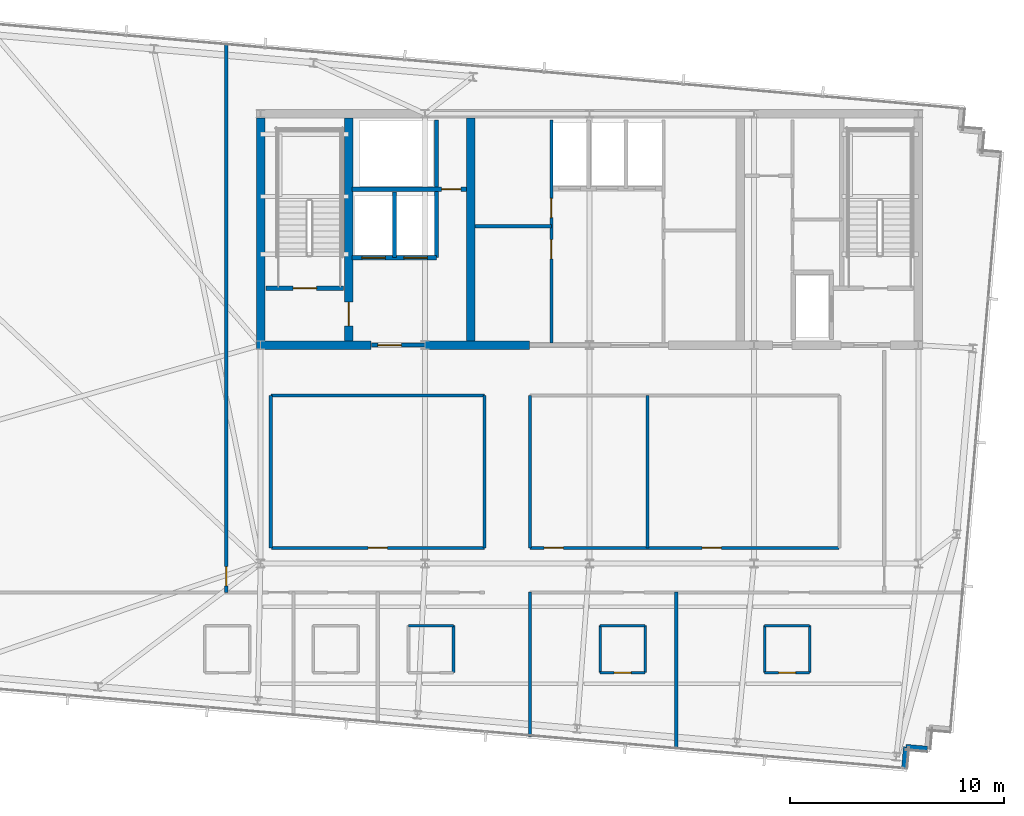
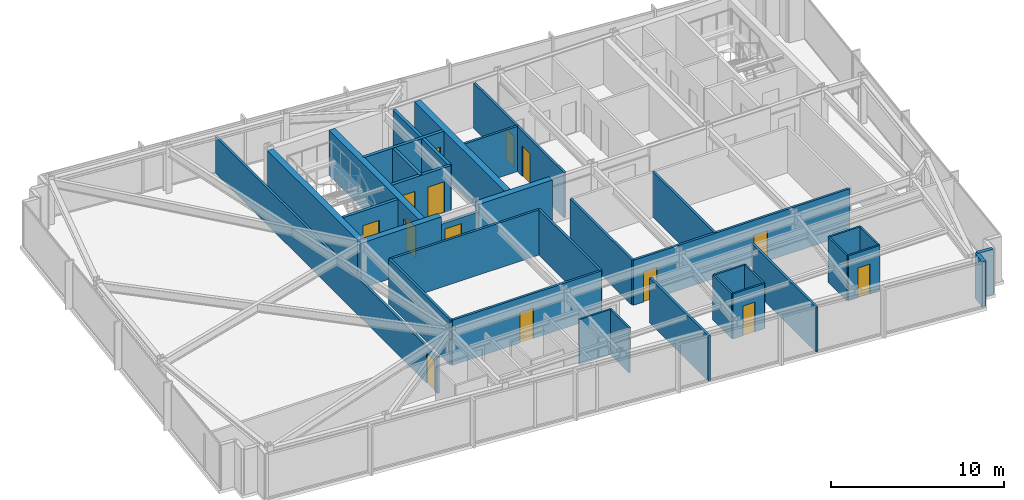
# One storey, part 27 of 33: 35 walls, 14 doors, 14 openings.
"""IFC4 building model written with IfcOpenShell, lengths in metres."""

from ifc_helpers import new_model, si_unit, direction, frame, frame_2d, origin, place, context, subcontext, project, spatial, rectangle, extrude, material, layer, layer_set, type_object, element, fill, save


model = new_model("IFC4")

# Units and contexts
model_context = context("Model", 3, precision=1e-05, world=origin(), true_north=direction((0.0, 1.0)))
body_context = subcontext(model_context, "Body", "Model", "MODEL_VIEW")
ifc_project = project(units=[si_unit("LENGTHUNIT", "METRE"), si_unit("AREAUNIT", "SQUARE_METRE"), si_unit("VOLUMEUNIT", "CUBIC_METRE"), si_unit("PLANEANGLEUNIT", "RADIAN"), si_unit("MASSUNIT", "GRAM", prefix="KILO")], contexts=[model_context])

# Site, building, storey
site_placement = place(None, origin())
site = spatial("IfcSite", under=ifc_project, at=site_placement, CompositionType="ELEMENT")
building_placement = place(site_placement, origin())
building = spatial("IfcBuilding", under=site, at=building_placement, Name="Yelkora Congress Tower", CompositionType="ELEMENT")
storey_placement = place(building_placement, frame((0.0, 0.0, 289.699951171875)))
storey = spatial("IfcBuildingStorey", under=building, at=storey_placement, Name="L81", CompositionType="ELEMENT", Elevation=289.699951171875)

# Walls
ifc_material_1 = material(Name="Concrete C50/60", Category="concrete")
ifc_layer_1 = layer(ifc_material_1, 0.39990234375)
ifc_layer_set_1 = layer_set([ifc_layer_1], Name="Concrete C50/60")
wall_type_1 = type_object("IfcWallType", Name="WALL-CORE-INT-400", PredefinedType="SHEAR", material=ifc_layer_set_1)
wall_1_placement = place(storey_placement, frame((22.840087890625, 35.39990234375, 0.0), z_axis=(0.0, 0.0, 1.0), x_axis=(1.0, 0.0, 0.0)))
element("IfcWall", 1, at=wall_1_placement, inside=storey, type_object=wall_type_1, Name="L81 Rear Core South-West Shear Wall", PredefinedType="SHEAR", context=body_context, shape_type="SweptSolid", body=[
    extrude(rectangle(XDim=5.35986328125, YDim=0.39990234375, at=frame_2d((2.679931640625, 0.0))), origin(), (0.0, 0.0, 1.0), 3.179931640625),
])
wall_2_placement = place(storey_placement, frame((30.719970703125, 35.39990234375, 0.0), z_axis=(0.0, 0.0, 1.0), x_axis=(1.0, 0.0, 0.0)))
element("IfcWall", 2, at=wall_2_placement, inside=storey, type_object=wall_type_1, Name="L81 Rear Core South-Center Shear Pier", PredefinedType="SHEAR", context=body_context, shape_type="SweptSolid", body=[
    extrude(rectangle(XDim=4.880126953125, YDim=0.39990234375, at=frame_2d((2.43994140625, 0.0))), origin(), (0.0, 0.0, 1.0), 3.179931640625),
])
wall_3_placement = place(storey_placement, frame((23.0400390625, 35.60009765625, 0.0), z_axis=(0.0, 0.0, 1.0), x_axis=(0.0, 1.0, 0.0)))
element("IfcWall", 3, at=wall_3_placement, inside=storey, type_object=wall_type_1, Name="L81 Rear Core Cross Shear Wall W", PredefinedType="SHEAR", context=body_context, shape_type="SweptSolid", body=[
    extrude(rectangle(XDim=10.39990234375, YDim=0.39990234375, at=frame_2d((5.199951171875, 0.0))), origin(), (0.0, 0.0, 1.0), 3.179931640625),
])

# Wall, opening, door
wall_4_placement = place(storey_placement, frame((27.14990234375, 35.60009765625, 0.0), z_axis=(0.0, 0.0, 1.0), x_axis=(0.0, 1.0, 0.0)))
wall_4 = element("IfcWall", 4, at=wall_4_placement, inside=storey, type_object=wall_type_1, Name="L81 Rear Core Cross Shear Wall C1", PredefinedType="SHEAR", context=body_context, shape_type="SweptSolid", body=[
    extrude(rectangle(XDim=10.39990234375, YDim=0.39990234375, at=frame_2d((5.199951171875, 0.0))), origin(), (0.0, 0.0, 1.0), 3.179931640625),
])
opening_1_placement = place(wall_4_placement, frame((0.699951171875, 0.0, 0.0)))
opening_1 = element("IfcOpeningElement", 5, at=opening_1_placement, cuts=wall_4, Name="Opening DR-110F9", PredefinedType="OPENING", context=body_context, shape_type="SweptSolid", body=[
    extrude(rectangle(XDim=1.10009765625, YDim=2.14990234375, at=frame_2d((0.550048828125, 1.074951171875))), frame((0.0, 0.2099609375, 0.0), z_axis=(0.0, -1.0, 0.0), x_axis=(1.0, 0.0, 0.0)), (0.0, 0.0, 1.0), 0.419921875),
])
ifc_material_2 = material(Name="Galvanised steel fire door leaf", Category="steel")
door_type_1 = type_object("IfcDoorType", Name="DOOR-FD90-1100", OperationType="NOTDEFINED", PredefinedType="DOOR", material=ifc_material_2)
door_1_placement = place(opening_1_placement, origin())
door_1 = element("IfcDoor", 6, at=door_1_placement, inside=storey, type_object=door_type_1, Name="L81 Firefighting Stair Transfer Door", OperationType="SINGLE_SWING_LEFT", OverallHeight=2.14990234375, OverallWidth=1.10009765625, PredefinedType="DOOR", context=body_context, shape_type="SweptSolid", body=[
    extrude(rectangle(XDim=1.10009765625, YDim=2.14990234375, at=frame_2d((0.550048828125, 1.074951171875))), frame((0.0, 0.02490234375, 0.0), z_axis=(0.0, -1.0, 0.0), x_axis=(1.0, 0.0, 0.0)), (0.0, 0.0, 1.0), 0.050048828125),
])
fill(opening_1, door_1)

# Walls
wall_5_placement = place(storey_placement, frame((32.85009765625, 35.60009765625, 0.0), z_axis=(0.0, 0.0, 1.0), x_axis=(0.0, 1.0, 0.0)))
element("IfcWall", 7, at=wall_5_placement, inside=storey, type_object=wall_type_1, Name="L81 Rear Core Cross Shear Wall C2", PredefinedType="SHEAR", context=body_context, shape_type="SweptSolid", body=[
    extrude(rectangle(XDim=10.39990234375, YDim=0.39990234375, at=frame_2d((5.199951171875, 0.0))), origin(), (0.0, 0.0, 1.0), 3.179931640625),
])
ifc_material_3 = material(Name="Concrete C40/50", Category="concrete")
ifc_layer_2 = layer(ifc_material_3, 0.239990234375)
ifc_layer_set_2 = layer_set([ifc_layer_2], Name="Concrete C40/50")
wall_type_2 = type_object("IfcWallType", Name="WALL-EXT-LIMESTONE-240", PredefinedType="SOLIDWALL", material=ifc_layer_set_2)
for number, where, z_axis, x_axis, name in (
    (8, (54.174560546875, 16.5498046875, 0.0), (0.0, 0.0, 1.0), (-0.996195572005, 0.087145753297, 0.0), "L81 Serrated Corner Limestone Pier 18"),
    (9, (53.17822265625, 16.636962890625, 0.0), (0.0, 0.0, 1.0), (-0.087145753297, -0.996195572005, 0.0), "L81 Serrated Corner Limestone Pier 19"),
):
    element("IfcWall", number, at=place(storey_placement, frame(where, z_axis=z_axis, x_axis=x_axis)), inside=storey, type_object=wall_type_2, Name=name, PredefinedType="SOLIDWALL", context=body_context, shape_type="SweptSolid", body=[
        extrude(rectangle(XDim=1.000244140625, YDim=0.239990234375, at=frame_2d((0.5, 0.0))), origin(), (0.0, 0.0, 1.0), 3.179931640625),
    ])
ifc_material_4 = material(Name="Moisture-resistant gypsum partition", Category="gypsum")
ifc_layer_3 = layer(ifc_material_4, 0.1201171875)
ifc_layer_set_3 = layer_set([ifc_layer_3], Name="Moisture-resistant gypsum partition")
wall_type_3 = type_object("IfcWallType", Name="WALL-INT-120-NR", PredefinedType="PARTITIONING", material=ifc_layer_set_3)
wall_6_placement = place(storey_placement, frame((29.949951171875, 22.300048828125, 0.0), z_axis=(0.0, 0.0, 1.0), x_axis=(1.0, 0.0, 0.0)))
element("IfcWall", 10, at=wall_6_placement, inside=storey, type_object=wall_type_3, Name="L81 Partition Wall 32", PredefinedType="PARTITIONING", context=body_context, shape_type="SweptSolid", body=[
    extrude(rectangle(XDim=2.10009765625, YDim=0.1201171875, at=frame_2d((1.050048828125, 0.0))), origin(), (0.0, 0.0, 1.0), 3.179931640625),
])
wall_7_placement = place(storey_placement, frame((32.050048828125, 20.10009765625, 0.0), z_axis=(0.0, 0.0, 1.0), x_axis=(0.0, 1.0, 0.0)))
element("IfcWall", 11, at=wall_7_placement, inside=storey, type_object=wall_type_3, Name="L81 Partition Wall 34", PredefinedType="PARTITIONING", context=body_context, shape_type="SweptSolid", body=[
    extrude(rectangle(XDim=2.199951171875, YDim=0.1201171875, at=frame_2d((1.10009765625, 0.0))), origin(), (0.0, 0.0, 1.0), 3.179931640625),
])
wall_8_placement = place(storey_placement, frame((38.89990234375, 22.300048828125, 0.0), z_axis=(0.0, 0.0, 1.0), x_axis=(1.0, 0.0, 0.0)))
element("IfcWall", 12, at=wall_8_placement, inside=storey, type_object=wall_type_3, Name="L81 Partition Wall 37", PredefinedType="PARTITIONING", context=body_context, shape_type="SweptSolid", body=[
    extrude(rectangle(XDim=2.10009765625, YDim=0.1201171875, at=frame_2d((1.050048828125, 0.0))), origin(), (0.0, 0.0, 1.0), 3.179931640625),
])
for number, where, z_axis, x_axis, name in (
    (13, (38.89990234375, 20.10009765625, 0.0), (0.0, 0.0, 1.0), (0.0, 1.0, 0.0), "L81 Partition Wall 38"),
    (14, (41.0, 20.10009765625, 0.0), (0.0, 0.0, 1.0), (0.0, 1.0, 0.0), "L81 Partition Wall 39"),
):
    element("IfcWall", number, at=place(storey_placement, frame(where, z_axis=z_axis, x_axis=x_axis)), inside=storey, type_object=wall_type_3, Name=name, PredefinedType="PARTITIONING", context=body_context, shape_type="SweptSolid", body=[
        extrude(rectangle(XDim=2.199951171875, YDim=0.1201171875, at=frame_2d((1.10009765625, 0.0))), origin(), (0.0, 0.0, 1.0), 3.179931640625),
    ])

# Wall, opening, door
wall_9_placement = place(storey_placement, frame((38.89990234375, 20.10009765625, 0.0), z_axis=(0.0, 0.0, 1.0), x_axis=(1.0, 0.0, 0.0)))
wall_9 = element("IfcWall", 15, at=wall_9_placement, inside=storey, type_object=wall_type_3, Name="L81 Partition Wall 40", PredefinedType="PARTITIONING", context=body_context, shape_type="SweptSolid", body=[
    extrude(rectangle(XDim=2.10009765625, YDim=0.1201171875, at=frame_2d((1.050048828125, 0.0))), origin(), (0.0, 0.0, 1.0), 3.179931640625),
])
opening_2_placement = place(wall_9_placement, frame((0.64990234375, 0.0, 0.0)))
opening_2 = element("IfcOpeningElement", 16, at=opening_2_placement, cuts=wall_9, Name="Opening DR-080B", PredefinedType="OPENING", context=body_context, shape_type="SweptSolid", body=[
    extrude(rectangle(XDim=0.800048828125, YDim=2.10009765625, at=frame_2d((0.39990234375, 1.050048828125))), frame((0.0, 0.070068359375, 0.0), z_axis=(0.0, -1.0, 0.0), x_axis=(1.0, 0.0, 0.0)), (0.0, 0.0, 1.0), 0.14013671875),
])
ifc_material_5 = material(Name="Moisture-sealed en-suite timber door", Category="wood")
door_type_2 = type_object("IfcDoorType", Name="DOOR-BATH-800", OperationType="NOTDEFINED", PredefinedType="DOOR", material=ifc_material_5)
door_2_placement = place(opening_2_placement, origin())
door_2 = element("IfcDoor", 17, at=door_2_placement, inside=storey, type_object=door_type_2, Name="L81 En-suite Door 5", OperationType="SINGLE_SWING_LEFT", OverallHeight=2.10009765625, OverallWidth=0.800048828125, PredefinedType="DOOR", context=body_context, shape_type="SweptSolid", body=[
    extrude(rectangle(XDim=0.800048828125, YDim=2.10009765625, at=frame_2d((0.39990234375, 1.050048828125))), frame((0.0, 0.02490234375, 0.0), z_axis=(0.0, -1.0, 0.0), x_axis=(1.0, 0.0, 0.0)), (0.0, 0.0, 1.0), 0.050048828125),
])
fill(opening_2, door_2)

# Walls
wall_10_placement = place(storey_placement, frame((46.580078125, 22.300048828125, 0.0), z_axis=(0.0, 0.0, 1.0), x_axis=(1.0, 0.0, 0.0)))
element("IfcWall", 18, at=wall_10_placement, inside=storey, type_object=wall_type_3, Name="L81 Partition Wall 42", PredefinedType="PARTITIONING", context=body_context, shape_type="SweptSolid", body=[
    extrude(rectangle(XDim=2.099853515625, YDim=0.1201171875, at=frame_2d((1.0498046875, 0.0))), origin(), (0.0, 0.0, 1.0), 3.179931640625),
])
for number, where, z_axis, x_axis, name in (
    (19, (46.580078125, 20.10009765625, 0.0), (0.0, 0.0, 1.0), (0.0, 1.0, 0.0), "L81 Partition Wall 43"),
    (20, (48.679931640625, 20.10009765625, 0.0), (0.0, 0.0, 1.0), (0.0, 1.0, 0.0), "L81 Partition Wall 44"),
):
    element("IfcWall", number, at=place(storey_placement, frame(where, z_axis=z_axis, x_axis=x_axis)), inside=storey, type_object=wall_type_3, Name=name, PredefinedType="PARTITIONING", context=body_context, shape_type="SweptSolid", body=[
        extrude(rectangle(XDim=2.199951171875, YDim=0.1201171875, at=frame_2d((1.10009765625, 0.0))), origin(), (0.0, 0.0, 1.0), 3.179931640625),
    ])

# Wall, opening, door
wall_11_placement = place(storey_placement, frame((46.580078125, 20.10009765625, 0.0), z_axis=(0.0, 0.0, 1.0), x_axis=(1.0, 0.0, 0.0)))
wall_11 = element("IfcWall", 21, at=wall_11_placement, inside=storey, type_object=wall_type_3, Name="L81 Partition Wall 45", PredefinedType="PARTITIONING", context=body_context, shape_type="SweptSolid", body=[
    extrude(rectangle(XDim=2.099853515625, YDim=0.1201171875, at=frame_2d((1.0498046875, 0.0))), origin(), (0.0, 0.0, 1.0), 3.179931640625),
])
opening_3_placement = place(wall_11_placement, frame((0.64990234375, 0.0, 0.0)))
opening_3 = element("IfcOpeningElement", 22, at=opening_3_placement, cuts=wall_11, Name="Opening DR-080B", PredefinedType="OPENING", context=body_context, shape_type="SweptSolid", body=[
    extrude(rectangle(XDim=0.800048828125, YDim=2.10009765625, at=frame_2d((0.39990234375, 1.050048828125))), frame((0.0, 0.070068359375, 0.0), z_axis=(0.0, -1.0, 0.0), x_axis=(1.0, 0.0, 0.0)), (0.0, 0.0, 1.0), 0.14013671875),
])
door_3_placement = place(opening_3_placement, origin())
door_3 = element("IfcDoor", 23, at=door_3_placement, inside=storey, type_object=door_type_2, Name="L81 En-suite Door 6", OperationType="SINGLE_SWING_RIGHT", OverallHeight=2.10009765625, OverallWidth=0.800048828125, PredefinedType="DOOR", context=body_context, shape_type="SweptSolid", body=[
    extrude(rectangle(XDim=0.800048828125, YDim=2.10009765625, at=frame_2d((0.39990234375, 1.050048828125))), frame((0.0, 0.02490234375, 0.0), z_axis=(0.0, -1.0, 0.0), x_axis=(1.0, 0.0, 0.0)), (0.0, 0.0, 1.0), 0.050048828125),
])
fill(opening_3, door_3)

ifc_material_6 = material(Name="Acoustic metal-stud gypsum partition", Category="gypsum")
ifc_layer_4 = layer(ifc_material_6, 0.14990234375)
ifc_layer_set_4 = layer_set([ifc_layer_4], Name="Acoustic metal-stud gypsum partition")
wall_type_4 = type_object("IfcWallType", Name="WALL-INT-150-NR", PredefinedType="PARTITIONING", material=ifc_layer_set_4)
wall_12_placement = place(storey_placement, frame((21.43994140625, 23.85009765625, 0.0), z_axis=(0.0, 0.0, 1.0), x_axis=(0.0, 1.0, 0.0)))
wall_12 = element("IfcWall", 24, at=wall_12_placement, inside=storey, type_object=wall_type_4, Name="L81 Partition Wall 49", PredefinedType="PARTITIONING", context=body_context, shape_type="SweptSolid", body=[
    extrude(rectangle(XDim=25.658203125, YDim=0.14990234375, at=frame_2d((12.8291015625, 0.0))), origin(), (0.0, 0.0, 1.0), 2.574951171875),
])
opening_4_placement = place(wall_12_placement, frame((0.300048828125, 0.0, 0.0)))
opening_4 = element("IfcOpeningElement", 25, at=opening_4_placement, cuts=wall_12, Name="Opening DR-090N", PredefinedType="OPENING", context=body_context, shape_type="SweptSolid", body=[
    extrude(rectangle(XDim=0.89990234375, YDim=2.14990234375, at=frame_2d((0.449951171875, 1.074951171875))), frame((0.0, 0.0849609375, 0.0), z_axis=(0.0, -1.0, 0.0), x_axis=(1.0, 0.0, 0.0)), (0.0, 0.0, 1.0), 0.169921875),
])
ifc_material_7 = material(Name="Moisture-resistant laminate door leaf", Category="wood")
door_type_3 = type_object("IfcDoorType", Name="DOOR-INT-900", OperationType="NOTDEFINED", PredefinedType="DOOR", material=ifc_material_7)
door_4_placement = place(opening_4_placement, origin())
door_4 = element("IfcDoor", 26, at=door_4_placement, inside=storey, type_object=door_type_3, Name="L81 W Wing Door", OperationType="SINGLE_SWING_RIGHT", OverallHeight=2.14990234375, OverallWidth=0.89990234375, PredefinedType="DOOR", context=body_context, shape_type="SweptSolid", body=[
    extrude(rectangle(XDim=0.89990234375, YDim=2.14990234375, at=frame_2d((0.449951171875, 1.074951171875))), frame((0.0, 0.02490234375, 0.0), z_axis=(0.0, -1.0, 0.0), x_axis=(1.0, 0.0, 0.0)), (0.0, 0.0, 1.0), 0.050048828125),
])
fill(opening_4, door_4)

# Walls
for number, where, z_axis, x_axis, name in (
    (27, (23.52001953125, 25.929931640625, 0.0), (0.0, 0.0, 1.0), (0.0, 1.0, 0.0), "L81 Partition Wall 51"),
    (28, (33.5, 25.929931640625, 0.0), (0.0, 0.0, 1.0), (0.0, 1.0, 0.0), "L81 Partition Wall 53"),
    (29, (35.6201171875, 25.929931640625, 0.0), (0.0, 0.0, 1.0), (0.0, 1.0, 0.0), "L81 Partition Wall 54"),
):
    element("IfcWall", number, at=place(storey_placement, frame(where, z_axis=z_axis, x_axis=x_axis)), inside=storey, type_object=wall_type_4, Name=name, PredefinedType="PARTITIONING", context=body_context, shape_type="SweptSolid", body=[
        extrude(rectangle(XDim=7.1201171875, YDim=0.14990234375, at=frame_2d((3.56005859375, 0.0))), origin(), (0.0, 0.0, 1.0), 3.179931640625),
    ])
wall_13_placement = place(storey_placement, frame((23.52001953125, 33.050048828125, 0.0), z_axis=(0.0, 0.0, 1.0), x_axis=(1.0, 0.0, 0.0)))
element("IfcWall", 30, at=wall_13_placement, inside=storey, type_object=wall_type_4, Name="L81 Partition Wall 55", PredefinedType="PARTITIONING", context=body_context, shape_type="SweptSolid", body=[
    extrude(rectangle(XDim=9.97998046875, YDim=0.14990234375, at=frame_2d((4.989990234375, 0.0))), origin(), (0.0, 0.0, 1.0), 3.179931640625),
])

# Wall, opening, door
wall_14_placement = place(storey_placement, frame((23.5400390625, 25.929931640625, 0.0), z_axis=(0.0, 0.0, 1.0), x_axis=(1.0, 0.0, 0.0)))
wall_14 = element("IfcWall", 31, at=wall_14_placement, inside=storey, type_object=wall_type_4, Name="L81 Partition Wall 57", PredefinedType="PARTITIONING", context=body_context, shape_type="SweptSolid", body=[
    extrude(rectangle(XDim=9.949951171875, YDim=0.14990234375, at=frame_2d((4.97509765625, 0.0))), origin(), (0.0, 0.0, 1.0), 3.179931640625),
])
opening_5_placement = place(wall_14_placement, frame((4.52490234375, 0.0, 0.0)))
opening_5 = element("IfcOpeningElement", 32, at=opening_5_placement, cuts=wall_14, Name="Opening DR-090N", PredefinedType="OPENING", context=body_context, shape_type="SweptSolid", body=[
    extrude(rectangle(XDim=0.89990234375, YDim=2.14990234375, at=frame_2d((0.449951171875, 1.074951171875))), frame((0.0, 0.0849609375, 0.0), z_axis=(0.0, -1.0, 0.0), x_axis=(1.0, 0.0, 0.0)), (0.0, 0.0, 1.0), 0.169921875),
])
door_5_placement = place(opening_5_placement, origin())
door_5 = element("IfcDoor", 33, at=door_5_placement, inside=storey, type_object=door_type_3, Name="L81 Housekeeping & Linen Room Door", OperationType="SINGLE_SWING_RIGHT", OverallHeight=2.14990234375, OverallWidth=0.89990234375, PredefinedType="DOOR", context=body_context, shape_type="SweptSolid", body=[
    extrude(rectangle(XDim=0.89990234375, YDim=2.14990234375, at=frame_2d((0.449951171875, 1.074951171875))), frame((0.0, 0.02490234375, 0.0), z_axis=(0.0, -1.0, 0.0), x_axis=(1.0, 0.0, 0.0)), (0.0, 0.0, 1.0), 0.050048828125),
])
fill(opening_5, door_5)

# Wall
wall_15_placement = place(storey_placement, frame((41.113037109375, 25.929931640625, 0.0), z_axis=(0.0, 0.0, 1.0), x_axis=(0.0, 1.0, 0.0)))
element("IfcWall", 34, at=wall_15_placement, inside=storey, type_object=wall_type_4, Name="L81 Partition Wall 58", PredefinedType="PARTITIONING", context=body_context, shape_type="SweptSolid", body=[
    extrude(rectangle(XDim=7.1201171875, YDim=0.14990234375, at=frame_2d((3.56005859375, 0.0))), origin(), (0.0, 0.0, 1.0), 3.179931640625),
])

# Wall, openings, doors
wall_16_placement = place(storey_placement, frame((35.6298828125, 25.929931640625, 0.0), z_axis=(0.0, 0.0, 1.0), x_axis=(1.0, 0.0, 0.0)))
wall_16 = element("IfcWall", 35, at=wall_16_placement, inside=storey, type_object=wall_type_4, Name="L81 Partition Wall 59", PredefinedType="PARTITIONING", context=body_context, shape_type="SweptSolid", body=[
    extrude(rectangle(XDim=14.43017578125, YDim=0.14990234375, at=frame_2d((7.215087890625, 0.0))), origin(), (0.0, 0.0, 1.0), 3.179931640625),
])
opening_6_placement = place(wall_16_placement, frame((0.64990234375, 0.0, 0.0)))
opening_6 = element("IfcOpeningElement", 36, at=opening_6_placement, cuts=wall_16, Name="Opening DR-090N", PredefinedType="OPENING", context=body_context, shape_type="SweptSolid", body=[
    extrude(rectangle(XDim=0.89990234375, YDim=2.14990234375, at=frame_2d((0.449951171875, 1.074951171875))), frame((0.0, 0.0849609375, 0.0), z_axis=(0.0, -1.0, 0.0), x_axis=(1.0, 0.0, 0.0)), (0.0, 0.0, 1.0), 0.169921875),
])
opening_7_placement = place(wall_16_placement, frame((8.030517578125, 0.0, 0.0)))
opening_7 = element("IfcOpeningElement", 37, at=opening_7_placement, cuts=wall_16, Name="Opening DR-090N", PredefinedType="OPENING", context=body_context, shape_type="SweptSolid", body=[
    extrude(rectangle(XDim=0.89990234375, YDim=2.14990234375, at=frame_2d((0.449951171875, 1.074951171875))), frame((0.0, 0.0849609375, 0.0), z_axis=(0.0, -1.0, 0.0), x_axis=(1.0, 0.0, 0.0)), (0.0, 0.0, 1.0), 0.169921875),
])
door_6_placement = place(opening_6_placement, origin())
door_6 = element("IfcDoor", 38, at=door_6_placement, inside=storey, type_object=door_type_3, Name="L81 Executive Library Door", OperationType="SINGLE_SWING_LEFT", OverallHeight=2.14990234375, OverallWidth=0.89990234375, PredefinedType="DOOR", context=body_context, shape_type="SweptSolid", body=[
    extrude(rectangle(XDim=0.89990234375, YDim=2.14990234375, at=frame_2d((0.449951171875, 1.074951171875))), frame((0.0, 0.02490234375, 0.0), z_axis=(0.0, -1.0, 0.0), x_axis=(1.0, 0.0, 0.0)), (0.0, 0.0, 1.0), 0.050048828125),
])
fill(opening_6, door_6)
door_7_placement = place(opening_7_placement, origin())
door_7 = element("IfcDoor", 39, at=door_7_placement, inside=storey, type_object=door_type_3, Name="L81 Delegate Kiosk Door", OperationType="SINGLE_SWING_RIGHT", OverallHeight=2.14990234375, OverallWidth=0.89990234375, PredefinedType="DOOR", context=body_context, shape_type="SweptSolid", body=[
    extrude(rectangle(XDim=0.89990234375, YDim=2.14990234375, at=frame_2d((0.449951171875, 1.074951171875))), frame((0.0, 0.02490234375, 0.0), z_axis=(0.0, -1.0, 0.0), x_axis=(1.0, 0.0, 0.0)), (0.0, 0.0, 1.0), 0.050048828125),
])
fill(opening_7, door_7)

# Wall
ifc_material_8 = material(Name="Twin-stud fire-rated gypsum partition", Category="gypsum")
ifc_layer_5 = layer(ifc_material_8, 0.14990234375)
ifc_layer_set_5 = layer_set([ifc_layer_5], Name="Twin-stud fire-rated gypsum partition")
wall_type_5 = type_object("IfcWallType", Name="WALL-INT-150-R60", PredefinedType="PARTITIONING", material=ifc_layer_set_5)
wall_17_placement = place(storey_placement, frame((33.050048828125, 40.949951171875, 0.0), z_axis=(0.0, 0.0, 1.0), x_axis=(1.0, 0.0, 0.0)))
element("IfcWall", 40, at=wall_17_placement, inside=storey, type_object=wall_type_5, Name="L81 Partition Wall 11", PredefinedType="PARTITIONING", context=body_context, shape_type="SweptSolid", body=[
    extrude(rectangle(XDim=3.570068359375, YDim=0.14990234375, at=frame_2d((1.78515625, 0.0))), origin(), (0.0, 0.0, 1.0), 3.179931640625),
])

# Wall, openings, doors
wall_18_placement = place(storey_placement, frame((36.6201171875, 35.5, 0.0), z_axis=(0.0, 0.0, 1.0), x_axis=(0.0, 1.0, 0.0)))
wall_18 = element("IfcWall", 41, at=wall_18_placement, inside=storey, type_object=wall_type_5, Name="L81 Partition Wall 12", PredefinedType="PARTITIONING", context=body_context, shape_type="SweptSolid", body=[
    extrude(rectangle(XDim=10.419921875, YDim=0.14990234375, at=frame_2d((5.2099609375, 0.0))), origin(), (0.0, 0.0, 1.0), 3.179931640625),
])
opening_8_placement = place(wall_18_placement, frame((3.919921875, 0.0, 0.0)))
opening_8 = element("IfcOpeningElement", 42, at=opening_8_placement, cuts=wall_18, Name="Opening DR-090F6", PredefinedType="OPENING", context=body_context, shape_type="SweptSolid", body=[
    extrude(rectangle(XDim=0.89990234375, YDim=2.14990234375, at=frame_2d((0.449951171875, 1.074951171875))), frame((0.0, 0.0849609375, 0.0), z_axis=(0.0, -1.0, 0.0), x_axis=(1.0, 0.0, 0.0)), (0.0, 0.0, 1.0), 0.169921875),
])
opening_9_placement = place(wall_18_placement, frame((5.85009765625, 0.0, 0.0)))
opening_9 = element("IfcOpeningElement", 43, at=opening_9_placement, cuts=wall_18, Name="Opening DR-090F6", PredefinedType="OPENING", context=body_context, shape_type="SweptSolid", body=[
    extrude(rectangle(XDim=0.89990234375, YDim=2.14990234375, at=frame_2d((0.449951171875, 1.074951171875))), frame((0.0, 0.0849609375, 0.0), z_axis=(0.0, -1.0, 0.0), x_axis=(1.0, 0.0, 0.0)), (0.0, 0.0, 1.0), 0.169921875),
])
ifc_material_9 = material(Name="Painted steel riser fire door leaf", Category="steel")
door_type_4 = type_object("IfcDoorType", Name="DOOR-FD60-900", OperationType="NOTDEFINED", PredefinedType="DOOR", material=ifc_material_9)
door_8_placement = place(opening_8_placement, origin())
door_8 = element("IfcDoor", 44, at=door_8_placement, inside=storey, type_object=door_type_4, Name="L81 Telecom Store Door", OperationType="SINGLE_SWING_RIGHT", OverallHeight=2.14990234375, OverallWidth=0.89990234375, PredefinedType="DOOR", context=body_context, shape_type="SweptSolid", body=[
    extrude(rectangle(XDim=0.89990234375, YDim=2.14990234375, at=frame_2d((0.449951171875, 1.074951171875))), frame((0.0, 0.02490234375, 0.0), z_axis=(0.0, -1.0, 0.0), x_axis=(1.0, 0.0, 0.0)), (0.0, 0.0, 1.0), 0.050048828125),
])
fill(opening_8, door_8)
door_9_placement = place(opening_9_placement, origin())
door_9 = element("IfcDoor", 45, at=door_9_placement, inside=storey, type_object=door_type_4, Name="L81 Archive Store Door", OperationType="SINGLE_SWING_LEFT", OverallHeight=2.14990234375, OverallWidth=0.89990234375, PredefinedType="DOOR", context=body_context, shape_type="SweptSolid", body=[
    extrude(rectangle(XDim=0.89990234375, YDim=2.14990234375, at=frame_2d((0.449951171875, 1.074951171875))), frame((0.0, 0.02490234375, 0.0), z_axis=(0.0, -1.0, 0.0), x_axis=(1.0, 0.0, 0.0)), (0.0, 0.0, 1.0), 0.050048828125),
])
fill(opening_9, door_9)

# Walls
wall_19_placement = place(storey_placement, frame((35.6201171875, 17.10888671875, 0.0), z_axis=(0.0, 0.0, 1.0), x_axis=(0.0, 1.0, 0.0)))
element("IfcWall", 46, at=wall_19_placement, inside=storey, type_object=wall_type_5, Name="L81 Partition Wall 41", PredefinedType="PARTITIONING", context=body_context, shape_type="SweptSolid", body=[
    extrude(rectangle(XDim=6.76123046875, YDim=0.14990234375, at=frame_2d((3.380615234375, 0.0))), origin(), (0.0, 0.0, 1.0), 3.179931640625),
])
wall_20_placement = place(storey_placement, frame((42.4560546875, 16.510986328125, 0.0), z_axis=(0.0, 0.0, 1.0), x_axis=(0.0, 1.0, 0.0)))
element("IfcWall", 47, at=wall_20_placement, inside=storey, type_object=wall_type_5, Name="L81 Partition Wall 46", PredefinedType="PARTITIONING", context=body_context, shape_type="SweptSolid", body=[
    extrude(rectangle(XDim=7.359130859375, YDim=0.14990234375, at=frame_2d((3.6796875, 0.0))), origin(), (0.0, 0.0, 1.0), 3.179931640625),
])

# Wall, opening, door
ifc_material_10 = material(Name="Autoclaved aerated concrete blockwork", Category="masonry")
ifc_layer_6 = layer(ifc_material_10, 0.199951171875)
ifc_layer_set_6 = layer_set([ifc_layer_6], Name="Autoclaved aerated concrete blockwork")
wall_type_6 = type_object("IfcWallType", Name="WALL-INT-200-R120", PredefinedType="PARTITIONING", material=ifc_layer_set_6)
wall_21_placement = place(storey_placement, frame((23.300048828125, 38.050048828125, 0.0), z_axis=(0.0, 0.0, 1.0), x_axis=(1.0, 0.0, 0.0)))
wall_21 = element("IfcWall", 48, at=wall_21_placement, inside=storey, type_object=wall_type_6, Name="L81 Stair ST-01 Enclosure Wall", PredefinedType="PARTITIONING", context=body_context, shape_type="SweptSolid", body=[
    extrude(rectangle(XDim=3.619873046875, YDim=0.199951171875, at=frame_2d((1.81005859375, 0.0))), origin(), (0.0, 0.0, 1.0), 3.179931640625),
])
opening_10_placement = place(wall_21_placement, frame((1.260009765625, 0.0, 0.0)))
opening_10 = element("IfcOpeningElement", 49, at=opening_10_placement, cuts=wall_21, Name="Opening DR-110F9", PredefinedType="OPENING", context=body_context, shape_type="SweptSolid", body=[
    extrude(rectangle(XDim=1.10009765625, YDim=2.14990234375, at=frame_2d((0.550048828125, 1.074951171875))), frame((0.0, 0.10986328125, 0.0), z_axis=(0.0, -1.0, 0.0), x_axis=(1.0, 0.0, 0.0)), (0.0, 0.0, 1.0), 0.219970703125),
])
door_10_placement = place(opening_10_placement, origin())
door_10 = element("IfcDoor", 50, at=door_10_placement, inside=storey, type_object=door_type_1, Name="L81 Stair ST-01 Entry Door", OperationType="SINGLE_SWING_LEFT", OverallHeight=2.14990234375, OverallWidth=1.10009765625, PredefinedType="DOOR", context=body_context, shape_type="SweptSolid", body=[
    extrude(rectangle(XDim=1.10009765625, YDim=2.14990234375, at=frame_2d((0.550048828125, 1.074951171875))), frame((0.0, 0.02490234375, 0.0), z_axis=(0.0, -1.0, 0.0), x_axis=(1.0, 0.0, 0.0)), (0.0, 0.0, 1.0), 0.050048828125),
])
fill(opening_10, door_10)

wall_22_placement = place(storey_placement, frame((28.219970703125, 35.39990234375, 0.0), z_axis=(0.0, 0.0, 1.0), x_axis=(1.0, 0.0, 0.0)))
wall_22 = element("IfcWall", 51, at=wall_22_placement, inside=storey, type_object=wall_type_6, Name="L81 Firefighting Lobby South Wall", PredefinedType="PARTITIONING", context=body_context, shape_type="SweptSolid", body=[
    extrude(rectangle(XDim=2.5, YDim=0.199951171875, at=frame_2d((1.25, 0.0))), origin(), (0.0, 0.0, 1.0), 2.574951171875),
])
opening_11_placement = place(wall_22_placement, frame((0.300048828125, 0.0, 0.0)))
opening_11 = element("IfcOpeningElement", 52, at=opening_11_placement, cuts=wall_22, Name="Opening DR-110F9", PredefinedType="OPENING", context=body_context, shape_type="SweptSolid", body=[
    extrude(rectangle(XDim=1.10009765625, YDim=2.14990234375, at=frame_2d((0.550048828125, 1.074951171875))), frame((0.0, 0.10986328125, 0.0), z_axis=(0.0, -1.0, 0.0), x_axis=(1.0, 0.0, 0.0)), (0.0, 0.0, 1.0), 0.219970703125),
])
door_11_placement = place(opening_11_placement, origin())
door_11 = element("IfcDoor", 53, at=door_11_placement, inside=storey, type_object=door_type_1, Name="L81 Firefighting Lobby Corridor Door", OperationType="SINGLE_SWING_RIGHT", OverallHeight=2.14990234375, OverallWidth=1.10009765625, PredefinedType="DOOR", context=body_context, shape_type="SweptSolid", body=[
    extrude(rectangle(XDim=1.10009765625, YDim=2.14990234375, at=frame_2d((0.550048828125, 1.074951171875))), frame((0.0, 0.02490234375, 0.0), z_axis=(0.0, -1.0, 0.0), x_axis=(1.0, 0.0, 0.0)), (0.0, 0.0, 1.0), 0.050048828125),
])
fill(opening_11, door_11)

# Wall, openings, doors
wall_23_placement = place(storey_placement, frame((27.320068359375, 39.47998046875, 0.0), z_axis=(0.0, 0.0, 1.0), x_axis=(1.0, 0.0, 0.0)))
wall_23 = element("IfcWall", 54, at=wall_23_placement, inside=storey, type_object=wall_type_6, Name="L81 Firefighting Lift Front Wall", PredefinedType="PARTITIONING", context=body_context, shape_type="SweptSolid", body=[
    extrude(rectangle(XDim=3.93994140625, YDim=0.199951171875, at=frame_2d((1.969970703125, 0.0))), origin(), (0.0, 0.0, 1.0), 3.179931640625),
])
opening_12_placement = place(wall_23_placement, frame((0.449951171875, 0.0, 0.0)))
opening_12 = element("IfcOpeningElement", 55, at=opening_12_placement, cuts=wall_23, Name="Opening LD-FF11", PredefinedType="OPENING", context=body_context, shape_type="SweptSolid", body=[
    extrude(rectangle(XDim=1.10009765625, YDim=2.199951171875, at=frame_2d((0.550048828125, 1.10009765625))), frame((0.0, 0.10986328125, 0.0), z_axis=(0.0, -1.0, 0.0), x_axis=(1.0, 0.0, 0.0)), (0.0, 0.0, 1.0), 0.219970703125),
])
opening_13_placement = place(wall_23_placement, frame((2.409912109375, 0.0, 0.0)))
opening_13 = element("IfcOpeningElement", 56, at=opening_13_placement, cuts=wall_23, Name="Opening LD-FF11", PredefinedType="OPENING", context=body_context, shape_type="SweptSolid", body=[
    extrude(rectangle(XDim=1.10009765625, YDim=2.199951171875, at=frame_2d((0.550048828125, 1.10009765625))), frame((0.0, 0.10986328125, 0.0), z_axis=(0.0, -1.0, 0.0), x_axis=(1.0, 0.0, 0.0)), (0.0, 0.0, 1.0), 0.219970703125),
])
ifc_material_11 = material(Name="Brushed stainless steel 316L landing door", Category="steel")
door_type_5 = type_object("IfcDoorType", Name="DOOR-LIFT-FF-1100", OperationType="DOUBLE_DOOR_SLIDING", PredefinedType="DOOR", material=ifc_material_11)
door_12_placement = place(opening_12_placement, origin())
door_12 = element("IfcDoor", 57, at=door_12_placement, inside=storey, type_object=door_type_5, Name="Lift Landing Door LF-FF1 L81", OperationType="DOUBLE_DOOR_SLIDING", OverallHeight=2.199951171875, OverallWidth=1.10009765625, PredefinedType="DOOR", context=body_context, shape_type="SweptSolid", body=[
    extrude(rectangle(XDim=1.10009765625, YDim=2.199951171875, at=frame_2d((0.550048828125, 1.10009765625))), frame((0.0, 0.02490234375, 0.0), z_axis=(0.0, -1.0, 0.0), x_axis=(1.0, 0.0, 0.0)), (0.0, 0.0, 1.0), 0.050048828125),
])
fill(opening_12, door_12)
door_13_placement = place(opening_13_placement, origin())
door_13 = element("IfcDoor", 58, at=door_13_placement, inside=storey, type_object=door_type_5, Name="Lift Landing Door LF-FF2 L81", OperationType="DOUBLE_DOOR_SLIDING", OverallHeight=2.199951171875, OverallWidth=1.10009765625, PredefinedType="DOOR", context=body_context, shape_type="SweptSolid", body=[
    extrude(rectangle(XDim=1.10009765625, YDim=2.199951171875, at=frame_2d((0.550048828125, 1.10009765625))), frame((0.0, 0.02490234375, 0.0), z_axis=(0.0, -1.0, 0.0), x_axis=(1.0, 0.0, 0.0)), (0.0, 0.0, 1.0), 0.050048828125),
])
fill(opening_13, door_13)

# Walls
wall_24_placement = place(storey_placement, frame((29.300048828125, 39.47998046875, 0.0), z_axis=(0.0, 0.0, 1.0), x_axis=(0.0, 1.0, 0.0)))
element("IfcWall", 59, at=wall_24_placement, inside=storey, type_object=wall_type_6, Name="L81 Partition Wall 4", PredefinedType="PARTITIONING", context=body_context, shape_type="SweptSolid", body=[
    extrude(rectangle(XDim=3.070068359375, YDim=0.199951171875, at=frame_2d((1.53515625, 0.0))), origin(), (0.0, 0.0, 1.0), 3.179931640625),
])
wall_25_placement = place(storey_placement, frame((31.260009765625, 39.47998046875, 0.0), z_axis=(0.0, 0.0, 1.0), x_axis=(0.0, 1.0, 0.0)))
element("IfcWall", 60, at=wall_25_placement, inside=storey, type_object=wall_type_6, Name="L81 Partition Wall 5", PredefinedType="PARTITIONING", context=body_context, shape_type="SweptSolid", body=[
    extrude(rectangle(XDim=6.43994140625, YDim=0.199951171875, at=frame_2d((3.219970703125, 0.0))), origin(), (0.0, 0.0, 1.0), 3.179931640625),
])

# Wall, opening, door
wall_26_placement = place(storey_placement, frame((27.320068359375, 42.679931640625, 0.0), z_axis=(0.0, 0.0, 1.0), x_axis=(1.0, 0.0, 0.0)))
wall_26 = element("IfcWall", 61, at=wall_26_placement, inside=storey, type_object=wall_type_6, Name="L81 Smoke Riser South Wall", PredefinedType="PARTITIONING", context=body_context, shape_type="SweptSolid", body=[
    extrude(rectangle(XDim=5.329833984375, YDim=0.199951171875, at=frame_2d((2.6650390625, 0.0))), origin(), (0.0, 0.0, 1.0), 3.179931640625),
])
opening_14_placement = place(wall_26_placement, frame((4.179931640625, 0.0, 0.0)))
opening_14 = element("IfcOpeningElement", 62, at=opening_14_placement, cuts=wall_26, Name="Opening DR-090F6", PredefinedType="OPENING", context=body_context, shape_type="SweptSolid", body=[
    extrude(rectangle(XDim=0.89990234375, YDim=2.14990234375, at=frame_2d((0.449951171875, 1.074951171875))), frame((0.0, 0.10986328125, 0.0), z_axis=(0.0, -1.0, 0.0), x_axis=(1.0, 0.0, 0.0)), (0.0, 0.0, 1.0), 0.219970703125),
])
door_14_placement = place(opening_14_placement, origin())
door_14 = element("IfcDoor", 63, at=door_14_placement, inside=storey, type_object=door_type_4, Name="L81 Riser Access Door", OperationType="SINGLE_SWING_LEFT", OverallHeight=2.14990234375, OverallWidth=0.89990234375, PredefinedType="DOOR", context=body_context, shape_type="SweptSolid", body=[
    extrude(rectangle(XDim=0.89990234375, YDim=2.14990234375, at=frame_2d((0.449951171875, 1.074951171875))), frame((0.0, 0.02490234375, 0.0), z_axis=(0.0, -1.0, 0.0), x_axis=(1.0, 0.0, 0.0)), (0.0, 0.0, 1.0), 0.050048828125),
])
fill(opening_14, door_14)

save(model, "model.ifc")
